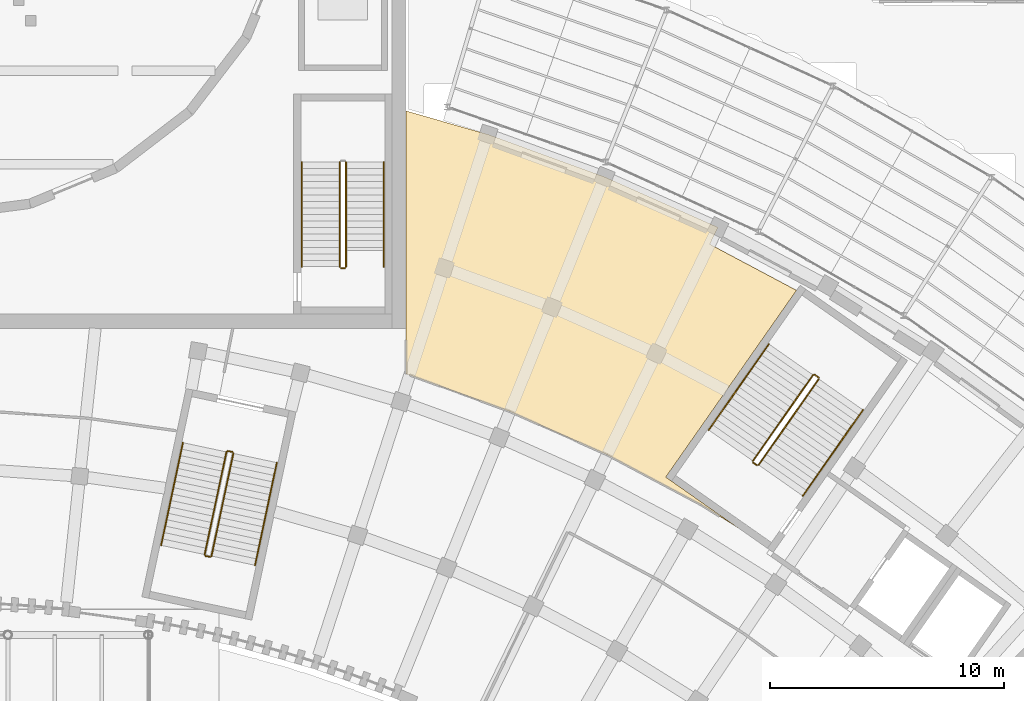
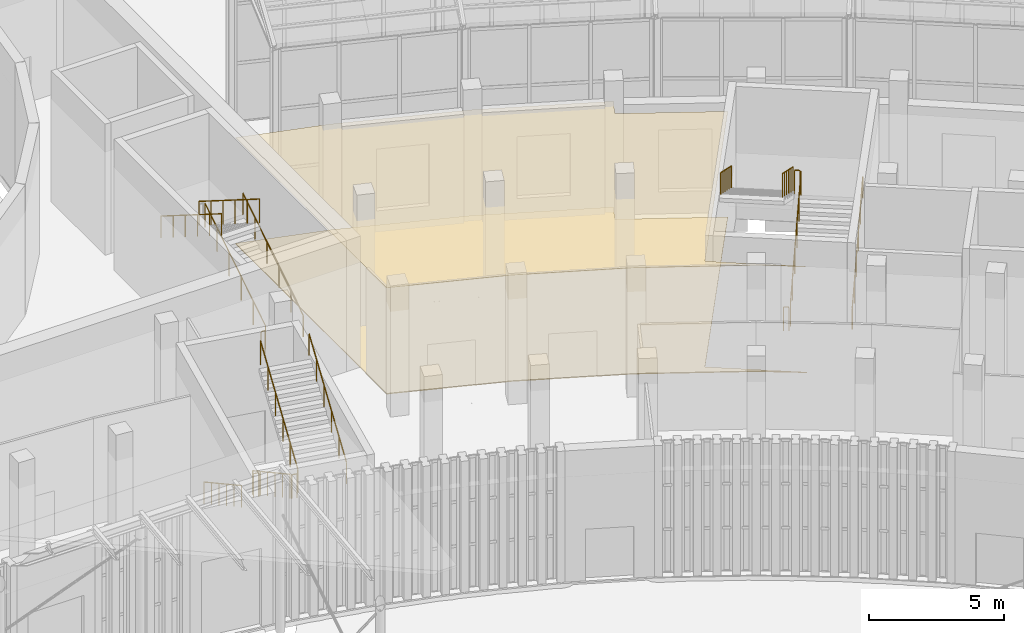
# One storey, part 126 of 155: 17 railings, 2 coverings.
"""IFC4 building model written with IfcOpenShell, lengths in metres."""

import ifcopenshell
import ifcopenshell.guid

model = None  # the IFC model being written
_history = None  # IfcOwnerHistory: only IFC2X3 demands one
_inside = {}  # id of a spatial element -> (the spatial element, [elements in it])
_under = {}  # id of a project, library or spatial element -> (it, [spatial elements below it])
_declared = {}  # id of a project -> (the project, [libraries it declares])
_typed = {}  # id of a type object -> (the type object, [elements of that type])
_made_of = {}  # id of a material, layer set ... -> (it, [elements and type objects made of it])


def new_model(schema):
    """Start an empty IFC model of exactly this schema.

    Asked for "IFC4X3", IfcOpenShell would pick the latest addendum, in which some entities
    have other attributes; the version numbers below select the first issue.
    IFC2X3 requires an IfcOwnerHistory on every rooted entity: one is made here for all.
    """
    global model, _history
    if schema == "IFC4X3":
        model = ifcopenshell.file(schema_version=(4, 3, 0, 0))
    else:
        model = ifcopenshell.file(schema=schema)
    _inside.clear()
    _under.clear()
    _declared.clear()
    _typed.clear()
    _made_of.clear()
    _history = None
    if model.schema == "IFC2X3":
        org = make("IfcOrganization", Name="unknown")
        user = make(
            "IfcPersonAndOrganization",
            ThePerson=make("IfcPerson", FamilyName="unknown"),
            TheOrganization=org,
        )
        app = make(
            "IfcApplication",
            ApplicationDeveloper=org,
            Version="unknown",
            ApplicationFullName="unknown",
            ApplicationIdentifier="unknown",
        )
        _history = make(
            "IfcOwnerHistory",
            OwningUser=user,
            OwningApplication=app,
            ChangeAction="ADDED",
            CreationDate=0,
        )
    return model


def make(cls, **values):
    """One entity of the class cls with the attributes given. An attribute that is None is left unset."""
    return model.create_entity(
        cls, **{name: value for name, value in values.items() if value is not None}
    )


def rooted(cls, **values):
    """An entity with a GlobalId (a new one), such as an element, a storey or a relation."""
    return make(cls, GlobalId=ifcopenshell.guid.new(), OwnerHistory=_history, **values)


def si_unit(unit_type, name, prefix=None):
    """IfcSIUnit, for example si_unit("LENGTHUNIT", "METRE", prefix="MILLI")."""
    return make("IfcSIUnit", UnitType=unit_type, Prefix=prefix, Name=name)


def assignment(units):
    """IfcUnitAssignment: the units of a project."""
    return None if units is None else make("IfcUnitAssignment", Units=units)


def point(xyz):
    """IfcCartesianPoint."""
    return None if xyz is None else make("IfcCartesianPoint", Coordinates=xyz)


def direction(xyz):
    """IfcDirection."""
    return None if xyz is None else make("IfcDirection", DirectionRatios=xyz)


def frame(location, z_axis=None, x_axis=None):
    """IfcAxis2Placement3D, a coordinate frame: its origin and axes. An axis left out is left unset."""
    return make(
        "IfcAxis2Placement3D",
        Location=point(location),
        Axis=direction(z_axis),
        RefDirection=direction(x_axis),
    )


def frame_2d(location, x_axis=None):
    """IfcAxis2Placement2D, a coordinate frame in the plane: its origin and x axis."""
    return make(
        "IfcAxis2Placement2D", Location=point(location), RefDirection=direction(x_axis)
    )


def origin():
    """The frame at (0, 0, 0) with its axes left unset."""
    return frame((0.0, 0.0, 0.0))


def origin_2d():
    """The frame at (0, 0) in the plane with its x axis left unset."""
    return frame_2d((0.0, 0.0))


def place(relative_to, where):
    """IfcLocalPlacement: puts the frame where relative to a parent placement (None: the world)."""
    return make(
        "IfcLocalPlacement", PlacementRelTo=relative_to, RelativePlacement=where
    )


def context(
    kind, dimensions, precision=None, world=None, true_north=None, identifier=None
):
    """IfcGeometricRepresentationContext, for example the 3D "Model" context."""
    return make(
        "IfcGeometricRepresentationContext",
        ContextIdentifier=identifier,
        ContextType=kind,
        CoordinateSpaceDimension=dimensions,
        Precision=precision,
        WorldCoordinateSystem=world,
        TrueNorth=true_north,
    )


def subcontext(parent, identifier, kind, view, scale=None):
    """IfcGeometricRepresentationSubContext, for example "Body" below "Model"."""
    return make(
        "IfcGeometricRepresentationSubContext",
        ContextIdentifier=identifier,
        ContextType=kind,
        ParentContext=parent,
        TargetScale=scale,
        TargetView=view,
    )


def project(units=None, contexts=None):
    """IfcProject with its units and contexts."""
    return rooted(
        "IfcProject",
        Name="project",
        RepresentationContexts=contexts,
        UnitsInContext=assignment(units),
    )


def spatial(cls, under=None, at=None, **own):
    """A site, building, storey or space (cls), placed at a placement, below another one or the project."""
    s = rooted(cls, ObjectPlacement=at, **own)
    if under is not None:
        _under.setdefault(under.id(), (under, []))[1].append(s)
    return s


def polyline(points):
    """IfcPolyline through the points."""
    return make("IfcPolyline", Points=[point(p) for p in points])


def profile(cls, at=None, kind="AREA", **sizes):
    """A parametric profile (cls). Its sizes go by their IFC names, for example OverallWidth=200.0."""
    return make(cls, ProfileType=kind, Position=at, **sizes)


def circle(**sizes):
    """IfcCircleProfileDef."""
    return profile("IfcCircleProfileDef", **sizes)


def outline(outer, holes=None, kind="AREA"):
    """IfcArbitraryClosedProfileDef: a profile drawn as a closed curve; with holes, ...WithVoids."""
    if holes is None:
        return make("IfcArbitraryClosedProfileDef", ProfileType=kind, OuterCurve=outer)
    return make(
        "IfcArbitraryProfileDefWithVoids",
        ProfileType=kind,
        OuterCurve=outer,
        InnerCurves=holes,
    )


def extrude(swept, where, along, depth):
    """IfcExtrudedAreaSolid: the profile swept, set in the frame where, extruded along a direction by depth."""
    return make(
        "IfcExtrudedAreaSolid",
        SweptArea=swept,
        Position=where,
        ExtrudedDirection=direction(along),
        Depth=depth,
    )


def shape(context_of_items, identifier, shape_type, items):
    """IfcShapeRepresentation: the items that make up one representation, for example the "Body"."""
    return make(
        "IfcShapeRepresentation",
        ContextOfItems=context_of_items,
        RepresentationIdentifier=identifier,
        RepresentationType=shape_type,
        Items=items,
    )


def material(Name=None, Category=None):
    """IfcMaterial."""
    return make("IfcMaterial", Name=Name, Category=Category)


def layer(
    of_material, thickness, ventilated=None, Name=None, Category=None, Priority=None
):
    """IfcMaterialLayer: one layer of a wall or slab, of a material (None: an air gap)."""
    return make(
        "IfcMaterialLayer",
        Material=of_material,
        LayerThickness=thickness,
        IsVentilated=ventilated,
        Name=Name,
        Category=Category,
        Priority=Priority,
    )


def layer_set(layers, Name=None):
    """IfcMaterialLayerSet."""
    return make("IfcMaterialLayerSet", MaterialLayers=layers, LayerSetName=Name)


def made_of(thing, what):
    """Note that an element or type object is made of a material, layer set ...; save() writes the relation."""
    if what is not None:
        _made_of.setdefault(what.id(), (what, []))[1].append(thing)
    return thing


def type_object(cls, material=None, **own):
    """A type object (cls), such as IfcWallType, which elements share."""
    return made_of(rooted(cls, **own), material)


def element(
    cls,
    number,
    at=None,
    inside=None,
    cuts=None,
    type_object=None,
    material=None,
    context=None,
    identifier="Body",
    shape_type=None,
    held_by="IfcProductDefinitionShape",
    body=None,
    shapes=None,
    **own,
):
    """One element of the class cls, such as IfcWall. Its Tag is "e" and its number.

    at: its placement. inside: the storey or other place that contains it. cuts: it is an
    opening in that element (IfcRelVoidsElement). A single representation is given by context,
    identifier, shape_type and body (its items); several are given by shapes. held_by: the class
    of the entity that holds the representations. save() writes the other relations.
    """
    e = rooted(cls, Tag="e%d" % number, ObjectPlacement=at, **own)
    if body is not None:
        shapes = [shape(context, identifier, shape_type, body)]
    if shapes is not None:
        e.Representation = make(held_by, Representations=shapes)
    if inside is not None:
        _inside.setdefault(inside.id(), (inside, []))[1].append(e)
    if cuts is not None:
        rooted(
            "IfcRelVoidsElement", RelatingBuildingElement=cuts, RelatedOpeningElement=e
        )
    if type_object is not None:
        _typed.setdefault(type_object.id(), (type_object, []))[1].append(e)
    return made_of(e, material)


def aggregate(whole, parts):
    """IfcRelAggregates: a whole, such as a stair, and the parts it consists of."""
    return rooted("IfcRelAggregates", RelatingObject=whole, RelatedObjects=parts)


def save(model, path):
    """Write the relations noted so far, then the file.

    IfcRelAggregates (storeys below a building ...), IfcRelContainedInSpatialStructure (elements
    in a storey), IfcRelDefinesByType, IfcRelAssociatesMaterial and IfcRelDeclares: one each for
    every whole, place, type object, material and project.
    """
    for whole, parts in _under.values():
        aggregate(whole, parts)
    for where, things in _inside.values():
        rooted(
            "IfcRelContainedInSpatialStructure",
            RelatedElements=things,
            RelatingStructure=where,
        )
    for kind, things in _typed.values():
        rooted("IfcRelDefinesByType", RelatedObjects=things, RelatingType=kind)
    for what, things in _made_of.values():
        rooted("IfcRelAssociatesMaterial", RelatedObjects=things, RelatingMaterial=what)
    for by, libraries in _declared.values():
        rooted("IfcRelDeclares", RelatingContext=by, RelatedDefinitions=libraries)
    model.write(path)


model = new_model("IFC4")

# Units and contexts
model_context = context("Model", 3, precision=1e-05, world=origin(), true_north=direction((0.0, 1.0)))
body_context = subcontext(model_context, "Body", "Model", "MODEL_VIEW")
ifc_project = project(units=[si_unit("LENGTHUNIT", "METRE"), si_unit("AREAUNIT", "SQUARE_METRE"), si_unit("VOLUMEUNIT", "CUBIC_METRE"), si_unit("PLANEANGLEUNIT", "RADIAN"), si_unit("MASSUNIT", "GRAM", prefix="KILO")], contexts=[model_context])

# Site, building, storey
site_placement = place(None, origin())
site = spatial("IfcSite", under=ifc_project, at=site_placement, CompositionType="ELEMENT")
building_placement = place(site_placement, origin())
building = spatial("IfcBuilding", under=site, at=building_placement, Name="Lunette Opera House", CompositionType="ELEMENT")
storey_placement = place(building_placement, origin())
storey = spatial("IfcBuildingStorey", under=building, at=storey_placement, Name="L00", CompositionType="ELEMENT", Elevation=0.0)

# Railings
ifc_material_1 = material(Name="Steel S355", Category="steel")
railing_type_1 = type_object("IfcRailingType", Name="STAIR GUARD 1100", PredefinedType="GUARDRAIL", material=ifc_material_1)
railing_1_placement = place(storey_placement, frame((108.32763671875, 58.720458984375, 0.176513671875)))
element("IfcRailing", 1, at=railing_1_placement, inside=storey, type_object=railing_type_1, Name="L00 GS2 stair guard 1", PredefinedType="GUARDRAIL", context=body_context, shape_type="SweptSolid", body=[
    extrude(circle(Radius=0.02392578125, at=origin_2d()), frame((0.0, 0.0, 1.076171875), z_axis=(-0.175884897919, -0.827511935191, 0.533187115186), x_axis=(0.97814957038, -0.207902424146, 0.0)), (0.0, 0.0, 1.0), 5.29541015625),
    extrude(circle(Radius=0.02099609375, at=origin_2d()), origin(), (0.0, 0.0, 1.0), 1.052001953125),
    extrude(circle(Radius=0.02099609375, at=origin_2d()), frame((-0.186279296875, -0.87646484375, 0.564697265625)), (0.0, 0.0, 1.0), 1.052001953125),
    extrude(circle(Radius=0.02099609375, at=origin_2d()), frame((-0.37255859375, -1.7529296875, 1.12939453125)), (0.0, 0.0, 1.0), 1.052001953125),
    extrude(circle(Radius=0.02099609375, at=origin_2d()), frame((-0.558837890625, -2.629150390625, 1.694091796875)), (0.0, 0.0, 1.0), 1.052001953125),
    extrude(circle(Radius=0.02099609375, at=origin_2d()), frame((-0.7451171875, -3.505615234375, 2.2587890625)), (0.0, 0.0, 1.0), 1.052001953125),
    extrude(circle(Radius=0.02099609375, at=origin_2d()), frame((-0.931396484375, -4.382080078125, 2.823486328125)), (0.0, 0.0, 1.0), 1.052001953125),
])
railing_2_placement = place(storey_placement, frame((107.434814453125, 54.279052734375, 3.0)))
element("IfcRailing", 2, at=railing_2_placement, inside=storey, type_object=railing_type_1, Name="L00 GS2 stair guard 2", PredefinedType="GUARDRAIL", context=body_context, shape_type="SweptSolid", body=[
    extrude(circle(Radius=0.02392578125, at=origin_2d()), frame((0.0, 0.0, 1.076171875), z_axis=(0.978211583308, -0.207610448392, 0.0), x_axis=(0.207610448392, 0.978211583308, 0.0)), (0.0, 0.0, 1.0), 0.199951171875),
    extrude(circle(Radius=0.02099609375, at=origin_2d()), origin(), (0.0, 0.0, 1.0), 1.052001953125),
    extrude(circle(Radius=0.02099609375, at=origin_2d()), frame((0.195556640625, -0.04150390625, 0.0)), (0.0, 0.0, 1.0), 1.052001953125),
])
railing_3_placement = place(storey_placement, frame((107.689697265625, 54.276123046875, 3.176513671875)))
element("IfcRailing", 3, at=railing_3_placement, inside=storey, type_object=railing_type_1, Name="L00 GS2 stair guard 3", PredefinedType="GUARDRAIL", context=body_context, shape_type="SweptSolid", body=[
    extrude(circle(Radius=0.02392578125, at=origin_2d()), frame((0.0, 0.0, 1.076171875), z_axis=(0.175884897919, 0.827511935191, 0.533187115186), x_axis=(-0.97814957038, 0.207902424146, 0.0)), (0.0, 0.0, 1.0), 5.29541015625),
    extrude(circle(Radius=0.02099609375, at=origin_2d()), origin(), (0.0, 0.0, 1.0), 1.052001953125),
    extrude(circle(Radius=0.02099609375, at=origin_2d()), frame((0.186279296875, 0.87646484375, 0.564697265625)), (0.0, 0.0, 1.0), 1.052001953125),
    extrude(circle(Radius=0.02099609375, at=origin_2d()), frame((0.37255859375, 1.7529296875, 1.12939453125)), (0.0, 0.0, 1.0), 1.052001953125),
    extrude(circle(Radius=0.02099609375, at=origin_2d()), frame((0.558837890625, 2.629150390625, 1.694091796875)), (0.0, 0.0, 1.0), 1.052001953125),
    extrude(circle(Radius=0.02099609375, at=origin_2d()), frame((0.7451171875, 3.505615234375, 2.2587890625)), (0.0, 0.0, 1.0), 1.052001953125),
    extrude(circle(Radius=0.02099609375, at=origin_2d()), frame((0.931396484375, 4.382080078125, 2.823486328125)), (0.0, 0.0, 1.0), 1.052001953125),
])
railing_4_placement = place(storey_placement, frame((108.386962890625, 58.759033203125, 0.0)))
element("IfcRailing", 4, at=railing_4_placement, inside=storey, type_object=railing_type_1, Name="L00 GS2 stair guard 4", PredefinedType="GUARDRAIL", context=body_context, shape_type="SweptSolid", body=[
    extrude(circle(Radius=0.02392578125, at=origin_2d()), frame((0.0, 0.0, 1.076171875), z_axis=(0.978211583308, -0.207610448392, 0.0), x_axis=(0.207610448392, 0.978211583308, 0.0)), (0.0, 0.0, 1.0), 0.199951171875),
    extrude(circle(Radius=0.02099609375, at=origin_2d()), origin(), (0.0, 0.0, 1.0), 1.052001953125),
    extrude(circle(Radius=0.02099609375, at=origin_2d()), frame((0.195556640625, -0.04150390625, 0.0)), (0.0, 0.0, 1.0), 1.052001953125),
])
railing_5_placement = place(storey_placement, frame((131.051025390625, 58.16455078125, 0.176513671875)))
element("IfcRailing", 5, at=railing_5_placement, inside=storey, type_object=railing_type_1, Name="L00 ST3 stair guard 1", PredefinedType="GUARDRAIL", context=body_context, shape_type="SweptSolid", body=[
    extrude(circle(Radius=0.02392578125, at=origin_2d()), frame((0.0, 0.0, 1.076171875), z_axis=(0.485231303146, 0.693016337186, 0.533178149252), x_axis=(-0.819165350921, 0.573557432041, 0.0)), (0.0, 0.0, 1.0), 5.295654296875),
    extrude(circle(Radius=0.02099609375, at=origin_2d()), origin(), (0.0, 0.0, 1.0), 1.052001953125),
    extrude(circle(Radius=0.02099609375, at=origin_2d()), frame((0.513916015625, 0.73388671875, 0.564697265625)), (0.0, 0.0, 1.0), 1.052001953125),
    extrude(circle(Radius=0.02099609375, at=origin_2d()), frame((1.02783203125, 1.468017578125, 1.12939453125)), (0.0, 0.0, 1.0), 1.052001953125),
    extrude(circle(Radius=0.02099609375, at=origin_2d()), frame((1.541748046875, 2.201904296875, 1.694091796875)), (0.0, 0.0, 1.0), 1.052001953125),
    extrude(circle(Radius=0.02099609375, at=origin_2d()), frame((2.0556640625, 2.93603515625, 2.2587890625)), (0.0, 0.0, 1.0), 1.052001953125),
    extrude(circle(Radius=0.02099609375, at=origin_2d()), frame((2.569580078125, 3.669921875, 2.823486328125)), (0.0, 0.0, 1.0), 1.052001953125),
])
railing_6_placement = place(storey_placement, frame((133.6083984375, 61.904052734375, 3.0)))
element("IfcRailing", 6, at=railing_6_placement, inside=storey, type_object=railing_type_1, Name="L00 ST3 stair guard 2", PredefinedType="GUARDRAIL", context=body_context, shape_type="SweptSolid", body=[
    extrude(circle(Radius=0.02392578125, at=origin_2d()), frame((0.0, 0.0, 1.076171875), z_axis=(-0.819289108261, 0.573380638917, 0.0), x_axis=(-0.573380638917, -0.819289108261, 0.0)), (0.0, 0.0, 1.0), 0.200439453125),
    extrude(circle(Radius=0.02099609375, at=origin_2d()), origin(), (0.0, 0.0, 1.0), 1.052001953125),
    extrude(circle(Radius=0.02099609375, at=origin_2d()), frame((-0.164306640625, 0.114990234375, 0.0)), (0.0, 0.0, 1.0), 1.052001953125),
])
railing_7_placement = place(storey_placement, frame((133.37451171875, 62.0068359375, 3.176513671875)))
element("IfcRailing", 7, at=railing_7_placement, inside=storey, type_object=railing_type_1, Name="L00 ST3 stair guard 3", PredefinedType="GUARDRAIL", context=body_context, shape_type="SweptSolid", body=[
    extrude(circle(Radius=0.02392578125, at=origin_2d()), frame((0.0, 0.0, 1.076171875), z_axis=(-0.485231303146, -0.693016337186, 0.533178149252), x_axis=(0.819165350921, -0.573557432041, 0.0)), (0.0, 0.0, 1.0), 5.295654296875),
    extrude(circle(Radius=0.02099609375, at=origin_2d()), origin(), (0.0, 0.0, 1.0), 1.052001953125),
    extrude(circle(Radius=0.02099609375, at=origin_2d()), frame((-0.513916015625, -0.73388671875, 0.564697265625)), (0.0, 0.0, 1.0), 1.052001953125),
    extrude(circle(Radius=0.02099609375, at=origin_2d()), frame((-1.02783203125, -1.468017578125, 1.12939453125)), (0.0, 0.0, 1.0), 1.052001953125),
    extrude(circle(Radius=0.02099609375, at=origin_2d()), frame((-1.541748046875, -2.201904296875, 1.694091796875)), (0.0, 0.0, 1.0), 1.052001953125),
    extrude(circle(Radius=0.02099609375, at=origin_2d()), frame((-2.0556640625, -2.93603515625, 2.2587890625)), (0.0, 0.0, 1.0), 1.052001953125),
    extrude(circle(Radius=0.02099609375, at=origin_2d()), frame((-2.569580078125, -3.669921875, 2.823486328125)), (0.0, 0.0, 1.0), 1.052001953125),
])
railing_8_placement = place(storey_placement, frame((130.9814453125, 58.15234375, 0.0)))
element("IfcRailing", 8, at=railing_8_placement, inside=storey, type_object=railing_type_1, Name="L00 ST3 stair guard 4", PredefinedType="GUARDRAIL", context=body_context, shape_type="SweptSolid", body=[
    extrude(circle(Radius=0.02392578125, at=origin_2d()), frame((0.0, 0.0, 1.076171875), z_axis=(-0.819289108261, 0.573380638917, 0.0), x_axis=(-0.573380638917, -0.819289108261, 0.0)), (0.0, 0.0, 1.0), 0.200439453125),
    extrude(circle(Radius=0.02099609375, at=origin_2d()), origin(), (0.0, 0.0, 1.0), 1.052001953125),
    extrude(circle(Radius=0.02099609375, at=origin_2d()), frame((-0.164306640625, 0.114990234375, 0.0)), (0.0, 0.0, 1.0), 1.052001953125),
])
railing_9_placement = place(storey_placement, frame((113.429931640625, 66.6201171875, 0.176513671875)))
element("IfcRailing", 9, at=railing_9_placement, inside=storey, type_object=railing_type_1, Name="L00 ST8 stair guard 1", PredefinedType="GUARDRAIL", context=body_context, shape_type="SweptSolid", body=[
    extrude(circle(Radius=0.02392578125, at=origin_2d()), frame((0.0, 0.0, 1.076171875), z_axis=(0.0, 0.845997938375, 0.533186166611), x_axis=(-1.0, 0.0, 0.0)), (0.0, 0.0, 1.0), 5.29541015625),
    extrude(circle(Radius=0.02099609375, at=origin_2d()), origin(), (0.0, 0.0, 1.0), 1.052001953125),
    extrude(circle(Radius=0.02099609375, at=origin_2d()), frame((0.0, 0.89599609375, 0.564697265625)), (0.0, 0.0, 1.0), 1.052001953125),
    extrude(circle(Radius=0.02099609375, at=origin_2d()), frame((0.0, 1.7919921875, 1.12939453125)), (0.0, 0.0, 1.0), 1.052001953125),
    extrude(circle(Radius=0.02099609375, at=origin_2d()), frame((0.0, 2.68798828125, 1.694091796875)), (0.0, 0.0, 1.0), 1.052001953125),
    extrude(circle(Radius=0.02099609375, at=origin_2d()), frame((0.0, 3.583984375, 2.2587890625)), (0.0, 0.0, 1.0), 1.052001953125),
    extrude(circle(Radius=0.02099609375, at=origin_2d()), frame((0.0, 4.47998046875, 2.823486328125)), (0.0, 0.0, 1.0), 1.052001953125),
])
railing_10_placement = place(storey_placement, frame((113.169921875, 71.10009765625, 3.176513671875)))
element("IfcRailing", 10, at=railing_10_placement, inside=storey, type_object=railing_type_1, Name="L00 ST8 stair guard 3", PredefinedType="GUARDRAIL", context=body_context, shape_type="SweptSolid", body=[
    extrude(circle(Radius=0.02392578125, at=origin_2d()), frame((0.0, 0.0, 1.076171875), z_axis=(0.0, -0.845997938375, 0.533186166611), x_axis=(1.0, 0.0, 0.0)), (0.0, 0.0, 1.0), 5.29541015625),
    extrude(circle(Radius=0.02099609375, at=origin_2d()), origin(), (0.0, 0.0, 1.0), 1.052001953125),
    extrude(circle(Radius=0.02099609375, at=origin_2d()), frame((0.0, -0.89599609375, 0.564697265625)), (0.0, 0.0, 1.0), 1.052001953125),
    extrude(circle(Radius=0.02099609375, at=origin_2d()), frame((0.0, -1.7919921875, 1.12939453125)), (0.0, 0.0, 1.0), 1.052001953125),
    extrude(circle(Radius=0.02099609375, at=origin_2d()), frame((0.0, -2.68798828125, 1.694091796875)), (0.0, 0.0, 1.0), 1.052001953125),
    extrude(circle(Radius=0.02099609375, at=origin_2d()), frame((0.0, -3.583984375, 2.2587890625)), (0.0, 0.0, 1.0), 1.052001953125),
    extrude(circle(Radius=0.02099609375, at=origin_2d()), frame((0.0, -4.47998046875, 2.823486328125)), (0.0, 0.0, 1.0), 1.052001953125),
])
railing_11_placement = place(storey_placement, frame((113.3798828125, 66.570068359375, 0.0)))
element("IfcRailing", 11, at=railing_11_placement, inside=storey, type_object=railing_type_1, Name="L00 ST8 stair guard 4", PredefinedType="GUARDRAIL", context=body_context, shape_type="SweptSolid", body=[
    extrude(circle(Radius=0.02392578125, at=origin_2d()), frame((0.0, 0.0, 1.076171875), z_axis=(-1.0, 0.0, 0.0), x_axis=(0.0, -1.0, 0.0)), (0.0, 0.0, 1.0), 0.159912109375),
    extrude(circle(Radius=0.02099609375, at=origin_2d()), origin(), (0.0, 0.0, 1.0), 1.052001953125),
    extrude(circle(Radius=0.02099609375, at=origin_2d()), frame((-0.159912109375, 0.0, 0.0)), (0.0, 0.0, 1.0), 1.052001953125),
])
ifc_material_2 = material(Name="Steel S355", Category="steel")
railing_type_2 = type_object("IfcRailingType", Name="STAIR HANDRAIL 1000", PredefinedType="HANDRAIL", material=ifc_material_2)
railing_12_placement = place(storey_placement, frame((106.46923828125, 59.115478515625, 0.176513671875)))
element("IfcRailing", 12, at=railing_12_placement, inside=storey, type_object=railing_type_2, Name="L00 GS2 stair handrail 1", PredefinedType="HANDRAIL", context=body_context, shape_type="SweptSolid", body=[
    extrude(circle(Radius=0.02392578125, at=origin_2d()), frame((0.0, 0.0, 0.97607421875), z_axis=(-0.175884897919, -0.827511935191, 0.533187115186), x_axis=(0.97814957038, -0.207902424146, 0.0)), (0.0, 0.0, 1.0), 5.29541015625),
    extrude(circle(Radius=0.02099609375, at=origin_2d()), origin(), (0.0, 0.0, 1.0), 0.951904296875),
    extrude(circle(Radius=0.02099609375, at=origin_2d()), frame((-0.186279296875, -0.87646484375, 0.564697265625)), (0.0, 0.0, 1.0), 0.951904296875),
    extrude(circle(Radius=0.02099609375, at=origin_2d()), frame((-0.37255859375, -1.7529296875, 1.12939453125)), (0.0, 0.0, 1.0), 0.951904296875),
    extrude(circle(Radius=0.02099609375, at=origin_2d()), frame((-0.558837890625, -2.629150390625, 1.694091796875)), (0.0, 0.0, 1.0), 0.951904296875),
    extrude(circle(Radius=0.02099609375, at=origin_2d()), frame((-0.7451171875, -3.505615234375, 2.2587890625)), (0.0, 0.0, 1.0), 0.951904296875),
    extrude(circle(Radius=0.02099609375, at=origin_2d()), frame((-0.931396484375, -4.382080078125, 2.823486328125)), (0.0, 0.0, 1.0), 0.951904296875),
])
railing_13_placement = place(storey_placement, frame((109.548095703125, 53.881103515625, 3.176513671875)))
element("IfcRailing", 13, at=railing_13_placement, inside=storey, type_object=railing_type_2, Name="L00 GS2 stair handrail 2", PredefinedType="HANDRAIL", context=body_context, shape_type="SweptSolid", body=[
    extrude(circle(Radius=0.02392578125, at=origin_2d()), frame((0.0, 0.0, 0.97607421875), z_axis=(0.175884897919, 0.827511935191, 0.533187115186), x_axis=(-0.97814957038, 0.207902424146, 0.0)), (0.0, 0.0, 1.0), 5.29541015625),
    extrude(circle(Radius=0.02099609375, at=origin_2d()), origin(), (0.0, 0.0, 1.0), 0.951904296875),
    extrude(circle(Radius=0.02099609375, at=origin_2d()), frame((0.186279296875, 0.87646484375, 0.564697265625)), (0.0, 0.0, 1.0), 0.951904296875),
    extrude(circle(Radius=0.02099609375, at=origin_2d()), frame((0.37255859375, 1.7529296875, 1.12939453125)), (0.0, 0.0, 1.0), 0.951904296875),
    extrude(circle(Radius=0.02099609375, at=origin_2d()), frame((0.558837890625, 2.629150390625, 1.694091796875)), (0.0, 0.0, 1.0), 0.951904296875),
    extrude(circle(Radius=0.02099609375, at=origin_2d()), frame((0.7451171875, 3.505615234375, 2.2587890625)), (0.0, 0.0, 1.0), 0.951904296875),
    extrude(circle(Radius=0.02099609375, at=origin_2d()), frame((0.931396484375, 4.382080078125, 2.823486328125)), (0.0, 0.0, 1.0), 0.951904296875),
])
railing_14_placement = place(storey_placement, frame((132.93505859375, 56.845458984375, 0.176513671875)))
element("IfcRailing", 14, at=railing_14_placement, inside=storey, type_object=railing_type_2, Name="L00 ST3 stair handrail 1", PredefinedType="HANDRAIL", context=body_context, shape_type="SweptSolid", body=[
    extrude(circle(Radius=0.02392578125, at=origin_2d()), frame((0.0, 0.0, 0.97607421875), z_axis=(0.485246806489, 0.692992375139, 0.533195184517), x_axis=(-0.819147422679, 0.573583036637, 0.0)), (0.0, 0.0, 1.0), 5.29541015625),
    extrude(circle(Radius=0.02099609375, at=origin_2d()), origin(), (0.0, 0.0, 1.0), 0.951904296875),
    extrude(circle(Radius=0.02099609375, at=origin_2d()), frame((0.513916015625, 0.73388671875, 0.564697265625)), (0.0, 0.0, 1.0), 0.951904296875),
    extrude(circle(Radius=0.02099609375, at=origin_2d()), frame((1.02783203125, 1.4677734375, 1.12939453125)), (0.0, 0.0, 1.0), 0.951904296875),
    extrude(circle(Radius=0.02099609375, at=origin_2d()), frame((1.541748046875, 2.201904296875, 1.694091796875)), (0.0, 0.0, 1.0), 0.951904296875),
    extrude(circle(Radius=0.02099609375, at=origin_2d()), frame((2.0556640625, 2.935791015625, 2.2587890625)), (0.0, 0.0, 1.0), 0.951904296875),
    extrude(circle(Radius=0.02099609375, at=origin_2d()), frame((2.569580078125, 3.669677734375, 2.823486328125)), (0.0, 0.0, 1.0), 0.951904296875),
])
railing_15_placement = place(storey_placement, frame((131.490478515625, 63.325927734375, 3.176513671875)))
element("IfcRailing", 15, at=railing_15_placement, inside=storey, type_object=railing_type_2, Name="L00 ST3 stair handrail 2", PredefinedType="HANDRAIL", context=body_context, shape_type="SweptSolid", body=[
    extrude(circle(Radius=0.02392578125, at=origin_2d()), frame((0.0, 0.0, 0.97607421875), z_axis=(-0.485246806489, -0.692992375139, 0.533195184517), x_axis=(0.819147422679, -0.573583036637, 0.0)), (0.0, 0.0, 1.0), 5.29541015625),
    extrude(circle(Radius=0.02099609375, at=origin_2d()), origin(), (0.0, 0.0, 1.0), 0.951904296875),
    extrude(circle(Radius=0.02099609375, at=origin_2d()), frame((-0.513916015625, -0.73388671875, 0.564697265625)), (0.0, 0.0, 1.0), 0.951904296875),
    extrude(circle(Radius=0.02099609375, at=origin_2d()), frame((-1.02783203125, -1.4677734375, 1.12939453125)), (0.0, 0.0, 1.0), 0.951904296875),
    extrude(circle(Radius=0.02099609375, at=origin_2d()), frame((-1.541748046875, -2.201904296875, 1.694091796875)), (0.0, 0.0, 1.0), 0.951904296875),
    extrude(circle(Radius=0.02099609375, at=origin_2d()), frame((-2.0556640625, -2.935791015625, 2.2587890625)), (0.0, 0.0, 1.0), 0.951904296875),
    extrude(circle(Radius=0.02099609375, at=origin_2d()), frame((-2.569580078125, -3.669677734375, 2.823486328125)), (0.0, 0.0, 1.0), 0.951904296875),
])
railing_16_placement = place(storey_placement, frame((115.050048828125, 66.6201171875, 0.176513671875)))
element("IfcRailing", 16, at=railing_16_placement, inside=storey, type_object=railing_type_2, Name="L00 ST8 stair handrail 1", PredefinedType="HANDRAIL", context=body_context, shape_type="SweptSolid", body=[
    extrude(circle(Radius=0.02392578125, at=origin_2d()), frame((0.0, 0.0, 0.97607421875), z_axis=(0.0, 0.845997938375, 0.533186166611), x_axis=(-1.0, 0.0, 0.0)), (0.0, 0.0, 1.0), 5.29541015625),
    extrude(circle(Radius=0.02099609375, at=origin_2d()), origin(), (0.0, 0.0, 1.0), 0.951904296875),
    extrude(circle(Radius=0.02099609375, at=origin_2d()), frame((0.0, 0.89599609375, 0.564697265625)), (0.0, 0.0, 1.0), 0.951904296875),
    extrude(circle(Radius=0.02099609375, at=origin_2d()), frame((0.0, 1.7919921875, 1.12939453125)), (0.0, 0.0, 1.0), 0.951904296875),
    extrude(circle(Radius=0.02099609375, at=origin_2d()), frame((0.0, 2.68798828125, 1.694091796875)), (0.0, 0.0, 1.0), 0.951904296875),
    extrude(circle(Radius=0.02099609375, at=origin_2d()), frame((0.0, 3.583984375, 2.2587890625)), (0.0, 0.0, 1.0), 0.951904296875),
    extrude(circle(Radius=0.02099609375, at=origin_2d()), frame((0.0, 4.47998046875, 2.823486328125)), (0.0, 0.0, 1.0), 0.951904296875),
])
railing_17_placement = place(storey_placement, frame((111.550048828125, 71.10009765625, 3.176513671875)))
element("IfcRailing", 17, at=railing_17_placement, inside=storey, type_object=railing_type_2, Name="L00 ST8 stair handrail 2", PredefinedType="HANDRAIL", context=body_context, shape_type="SweptSolid", body=[
    extrude(circle(Radius=0.02392578125, at=origin_2d()), frame((0.0, 0.0, 0.97607421875), z_axis=(0.0, -0.845997938375, 0.533186166611), x_axis=(1.0, 0.0, 0.0)), (0.0, 0.0, 1.0), 5.29541015625),
    extrude(circle(Radius=0.02099609375, at=origin_2d()), origin(), (0.0, 0.0, 1.0), 0.951904296875),
    extrude(circle(Radius=0.02099609375, at=origin_2d()), frame((0.0, -0.89599609375, 0.564697265625)), (0.0, 0.0, 1.0), 0.951904296875),
    extrude(circle(Radius=0.02099609375, at=origin_2d()), frame((0.0, -1.7919921875, 1.12939453125)), (0.0, 0.0, 1.0), 0.951904296875),
    extrude(circle(Radius=0.02099609375, at=origin_2d()), frame((0.0, -2.68798828125, 1.694091796875)), (0.0, 0.0, 1.0), 0.951904296875),
    extrude(circle(Radius=0.02099609375, at=origin_2d()), frame((0.0, -3.583984375, 2.2587890625)), (0.0, 0.0, 1.0), 0.951904296875),
    extrude(circle(Radius=0.02099609375, at=origin_2d()), frame((0.0, -4.47998046875, 2.823486328125)), (0.0, 0.0, 1.0), 0.951904296875),
])

# Coverings
ifc_material_3 = material(Name="Mineral fibre board")
ifc_layer_1 = layer(ifc_material_3, 0.014892578125)
ifc_layer_set_1 = layer_set([ifc_layer_1], Name="Mineral fibre board")
covering_type_1 = type_object("IfcCoveringType", Name="SUSPENDED ACOUSTIC CEILING 15", PredefinedType="CEILING", material=ifc_layer_set_1)
covering_1_placement = place(storey_placement, frame((0.0, 0.0, 4.81494140625)))
element("IfcCovering", 18, at=covering_1_placement, inside=storey, type_object=covering_type_1, Name="Ceiling Opera Shop", PredefinedType="CEILING", context=body_context, shape_type="SweptSolid", body=[
    extrude(outline(polyline([(124.469970703125, 70.466064453125), (129.31591796875, 68.30810546875), (128.966064453125, 67.589111328125), (132.6689453125, 65.6201171875), (127.0859375, 57.64501953125), (130.19189453125, 55.469970703125), (128.60009765625, 56.465087890625), (124.58203125, 58.60107421875), (120.424072265625, 60.451904296875), (116.14794921875, 62.009033203125), (116.0, 62.051025390625), (116.0, 64.0), (116.0, 73.280029296875), (119.485107421875, 72.280029296875), (124.469970703125, 70.466064453125)])), origin(), (0.0, 0.0, 1.0), 0.01513671875),
])
ifc_material_4 = material(Name="Timber", Category="wood")
ifc_layer_2 = layer(ifc_material_4, 0.0400390625)
ifc_layer_set_2 = layer_set([ifc_layer_2], Name="Timber")
covering_type_2 = type_object("IfcCoveringType", Name="TIMBER FLOOR FINISH 40", PredefinedType="FLOORING", material=ifc_layer_set_2)
covering_2_placement = place(storey_placement, origin())
element("IfcCovering", 19, at=covering_2_placement, inside=storey, type_object=covering_type_2, Name="Floor finish Opera Shop", PredefinedType="FLOORING", context=body_context, shape_type="SweptSolid", body=[
    extrude(outline(polyline([(124.469970703125, 70.466064453125), (129.31591796875, 68.30810546875), (128.966064453125, 67.589111328125), (132.6689453125, 65.6201171875), (127.0859375, 57.64501953125), (130.19189453125, 55.469970703125), (128.60009765625, 56.465087890625), (124.58203125, 58.60107421875), (120.424072265625, 60.451904296875), (116.14794921875, 62.009033203125), (116.0, 62.051025390625), (116.0, 64.0), (116.0, 73.280029296875), (119.485107421875, 72.280029296875), (124.469970703125, 70.466064453125)])), origin(), (0.0, 0.0, 1.0), 0.0400390625),
])

save(model, "model.ifc")
